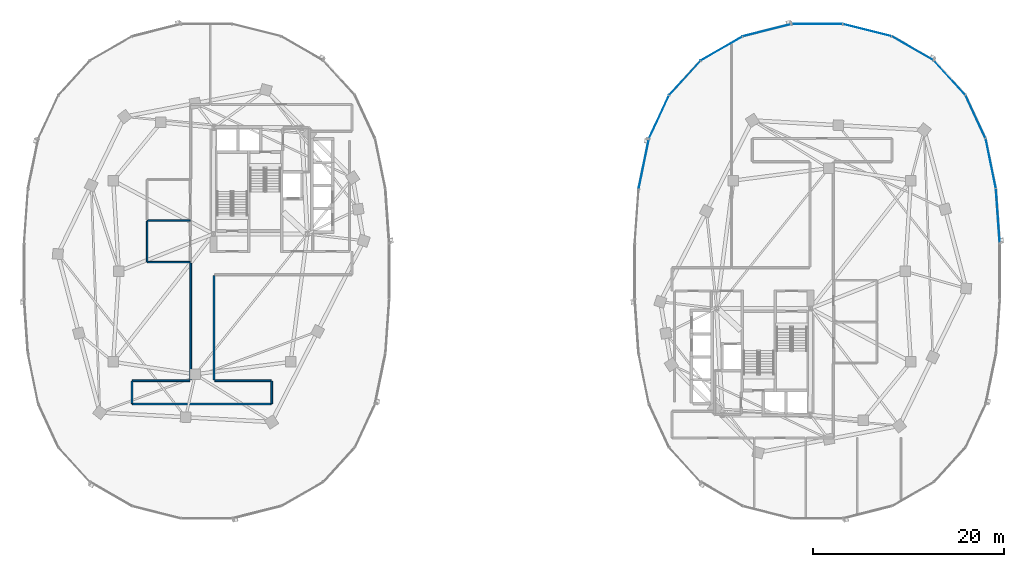
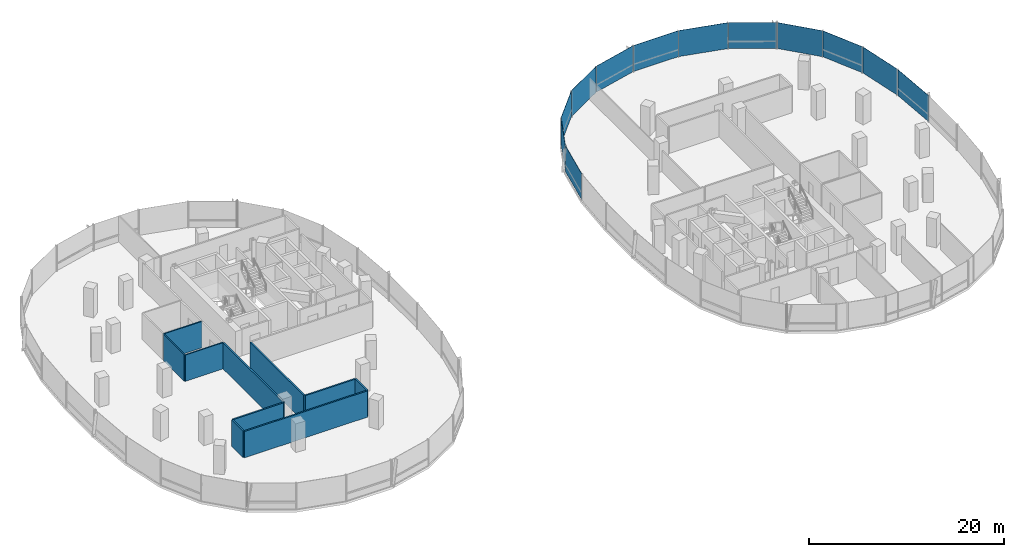
# One storey, part 10 of 20: 12 plates, 10 walls, 2 elements without a shape of their own.
"""IFC4 building model written with IfcOpenShell, lengths in metres."""

import ifcopenshell
import ifcopenshell.guid

model = None  # the IFC model being written
_history = None  # IfcOwnerHistory: only IFC2X3 demands one
_inside = {}  # id of a spatial element -> (the spatial element, [elements in it])
_under = {}  # id of a project, library or spatial element -> (it, [spatial elements below it])
_declared = {}  # id of a project -> (the project, [libraries it declares])
_typed = {}  # id of a type object -> (the type object, [elements of that type])
_made_of = {}  # id of a material, layer set ... -> (it, [elements and type objects made of it])


def new_model(schema):
    """Start an empty IFC model of exactly this schema.

    Asked for "IFC4X3", IfcOpenShell would pick the latest addendum, in which some entities
    have other attributes; the version numbers below select the first issue.
    IFC2X3 requires an IfcOwnerHistory on every rooted entity: one is made here for all.
    """
    global model, _history
    if schema == "IFC4X3":
        model = ifcopenshell.file(schema_version=(4, 3, 0, 0))
    else:
        model = ifcopenshell.file(schema=schema)
    _inside.clear()
    _under.clear()
    _declared.clear()
    _typed.clear()
    _made_of.clear()
    _history = None
    if model.schema == "IFC2X3":
        org = make("IfcOrganization", Name="unknown")
        user = make(
            "IfcPersonAndOrganization",
            ThePerson=make("IfcPerson", FamilyName="unknown"),
            TheOrganization=org,
        )
        app = make(
            "IfcApplication",
            ApplicationDeveloper=org,
            Version="unknown",
            ApplicationFullName="unknown",
            ApplicationIdentifier="unknown",
        )
        _history = make(
            "IfcOwnerHistory",
            OwningUser=user,
            OwningApplication=app,
            ChangeAction="ADDED",
            CreationDate=0,
        )
    return model


def make(cls, **values):
    """One entity of the class cls with the attributes given. An attribute that is None is left unset."""
    return model.create_entity(
        cls, **{name: value for name, value in values.items() if value is not None}
    )


def rooted(cls, **values):
    """An entity with a GlobalId (a new one), such as an element, a storey or a relation."""
    return make(cls, GlobalId=ifcopenshell.guid.new(), OwnerHistory=_history, **values)


def si_unit(unit_type, name, prefix=None):
    """IfcSIUnit, for example si_unit("LENGTHUNIT", "METRE", prefix="MILLI")."""
    return make("IfcSIUnit", UnitType=unit_type, Prefix=prefix, Name=name)


def assignment(units):
    """IfcUnitAssignment: the units of a project."""
    return None if units is None else make("IfcUnitAssignment", Units=units)


def point(xyz):
    """IfcCartesianPoint."""
    return None if xyz is None else make("IfcCartesianPoint", Coordinates=xyz)


def direction(xyz):
    """IfcDirection."""
    return None if xyz is None else make("IfcDirection", DirectionRatios=xyz)


def frame(location, z_axis=None, x_axis=None):
    """IfcAxis2Placement3D, a coordinate frame: its origin and axes. An axis left out is left unset."""
    return make(
        "IfcAxis2Placement3D",
        Location=point(location),
        Axis=direction(z_axis),
        RefDirection=direction(x_axis),
    )


def frame_2d(location, x_axis=None):
    """IfcAxis2Placement2D, a coordinate frame in the plane: its origin and x axis."""
    return make(
        "IfcAxis2Placement2D", Location=point(location), RefDirection=direction(x_axis)
    )


def origin():
    """The frame at (0, 0, 0) with its axes left unset."""
    return frame((0.0, 0.0, 0.0))


def origin_2d():
    """The frame at (0, 0) in the plane with its x axis left unset."""
    return frame_2d((0.0, 0.0))


def place(relative_to, where):
    """IfcLocalPlacement: puts the frame where relative to a parent placement (None: the world)."""
    return make(
        "IfcLocalPlacement", PlacementRelTo=relative_to, RelativePlacement=where
    )


def context(
    kind, dimensions, precision=None, world=None, true_north=None, identifier=None
):
    """IfcGeometricRepresentationContext, for example the 3D "Model" context."""
    return make(
        "IfcGeometricRepresentationContext",
        ContextIdentifier=identifier,
        ContextType=kind,
        CoordinateSpaceDimension=dimensions,
        Precision=precision,
        WorldCoordinateSystem=world,
        TrueNorth=true_north,
    )


def subcontext(parent, identifier, kind, view, scale=None):
    """IfcGeometricRepresentationSubContext, for example "Body" below "Model"."""
    return make(
        "IfcGeometricRepresentationSubContext",
        ContextIdentifier=identifier,
        ContextType=kind,
        ParentContext=parent,
        TargetScale=scale,
        TargetView=view,
    )


def project(units=None, contexts=None):
    """IfcProject with its units and contexts."""
    return rooted(
        "IfcProject",
        Name="project",
        RepresentationContexts=contexts,
        UnitsInContext=assignment(units),
    )


def spatial(cls, under=None, at=None, **own):
    """A site, building, storey or space (cls), placed at a placement, below another one or the project."""
    s = rooted(cls, ObjectPlacement=at, **own)
    if under is not None:
        _under.setdefault(under.id(), (under, []))[1].append(s)
    return s


def profile(cls, at=None, kind="AREA", **sizes):
    """A parametric profile (cls). Its sizes go by their IFC names, for example OverallWidth=200.0."""
    return make(cls, ProfileType=kind, Position=at, **sizes)


def rectangle(**sizes):
    """IfcRectangleProfileDef."""
    return profile("IfcRectangleProfileDef", **sizes)


def extrude(swept, where, along, depth):
    """IfcExtrudedAreaSolid: the profile swept, set in the frame where, extruded along a direction by depth."""
    return make(
        "IfcExtrudedAreaSolid",
        SweptArea=swept,
        Position=where,
        ExtrudedDirection=direction(along),
        Depth=depth,
    )


def shape(context_of_items, identifier, shape_type, items):
    """IfcShapeRepresentation: the items that make up one representation, for example the "Body"."""
    return make(
        "IfcShapeRepresentation",
        ContextOfItems=context_of_items,
        RepresentationIdentifier=identifier,
        RepresentationType=shape_type,
        Items=items,
    )


def material(Name=None, Category=None):
    """IfcMaterial."""
    return make("IfcMaterial", Name=Name, Category=Category)


def layer(
    of_material, thickness, ventilated=None, Name=None, Category=None, Priority=None
):
    """IfcMaterialLayer: one layer of a wall or slab, of a material (None: an air gap)."""
    return make(
        "IfcMaterialLayer",
        Material=of_material,
        LayerThickness=thickness,
        IsVentilated=ventilated,
        Name=Name,
        Category=Category,
        Priority=Priority,
    )


def layer_set(layers, Name=None):
    """IfcMaterialLayerSet."""
    return make("IfcMaterialLayerSet", MaterialLayers=layers, LayerSetName=Name)


def made_of(thing, what):
    """Note that an element or type object is made of a material, layer set ...; save() writes the relation."""
    if what is not None:
        _made_of.setdefault(what.id(), (what, []))[1].append(thing)
    return thing


def type_object(cls, material=None, **own):
    """A type object (cls), such as IfcWallType, which elements share."""
    return made_of(rooted(cls, **own), material)


def element(
    cls,
    number,
    at=None,
    inside=None,
    cuts=None,
    type_object=None,
    material=None,
    context=None,
    identifier="Body",
    shape_type=None,
    held_by="IfcProductDefinitionShape",
    body=None,
    shapes=None,
    **own,
):
    """One element of the class cls, such as IfcWall. Its Tag is "e" and its number.

    at: its placement. inside: the storey or other place that contains it. cuts: it is an
    opening in that element (IfcRelVoidsElement). A single representation is given by context,
    identifier, shape_type and body (its items); several are given by shapes. held_by: the class
    of the entity that holds the representations. save() writes the other relations.
    """
    e = rooted(cls, Tag="e%d" % number, ObjectPlacement=at, **own)
    if body is not None:
        shapes = [shape(context, identifier, shape_type, body)]
    if shapes is not None:
        e.Representation = make(held_by, Representations=shapes)
    if inside is not None:
        _inside.setdefault(inside.id(), (inside, []))[1].append(e)
    if cuts is not None:
        rooted(
            "IfcRelVoidsElement", RelatingBuildingElement=cuts, RelatedOpeningElement=e
        )
    if type_object is not None:
        _typed.setdefault(type_object.id(), (type_object, []))[1].append(e)
    return made_of(e, material)


def aggregate(whole, parts):
    """IfcRelAggregates: a whole, such as a stair, and the parts it consists of."""
    return rooted("IfcRelAggregates", RelatingObject=whole, RelatedObjects=parts)


def save(model, path):
    """Write the relations noted so far, then the file.

    IfcRelAggregates (storeys below a building ...), IfcRelContainedInSpatialStructure (elements
    in a storey), IfcRelDefinesByType, IfcRelAssociatesMaterial and IfcRelDeclares: one each for
    every whole, place, type object, material and project.
    """
    for whole, parts in _under.values():
        aggregate(whole, parts)
    for where, things in _inside.values():
        rooted(
            "IfcRelContainedInSpatialStructure",
            RelatedElements=things,
            RelatingStructure=where,
        )
    for kind, things in _typed.values():
        rooted("IfcRelDefinesByType", RelatedObjects=things, RelatingType=kind)
    for what, things in _made_of.values():
        rooted("IfcRelAssociatesMaterial", RelatedObjects=things, RelatingMaterial=what)
    for by, libraries in _declared.values():
        rooted("IfcRelDeclares", RelatingContext=by, RelatedDefinitions=libraries)
    model.write(path)


model = new_model("IFC4")

# Units and contexts
model_context = context("Model", 3, precision=1e-05, world=origin(), true_north=direction((0.0, 1.0)))
body_context = subcontext(model_context, "Body", "Model", "MODEL_VIEW")
ifc_project = project(units=[si_unit("LENGTHUNIT", "METRE"), si_unit("AREAUNIT", "SQUARE_METRE"), si_unit("VOLUMEUNIT", "CUBIC_METRE"), si_unit("PLANEANGLEUNIT", "RADIAN"), si_unit("MASSUNIT", "GRAM", prefix="KILO"), si_unit("THERMODYNAMICTEMPERATUREUNIT", "KELVIN"), si_unit("POWERUNIT", "WATT")], contexts=[model_context])

# Site, building, storey
site_placement = place(None, origin())
site = spatial("IfcSite", under=ifc_project, at=site_placement, CompositionType="ELEMENT")
building_placement = place(site_placement, origin())
building = spatial("IfcBuilding", under=site, at=building_placement, Name="Cundina Bronze Exchange", CompositionType="ELEMENT")
storey_placement = place(building_placement, frame((0.0, 0.0, 125.0)))
storey = spatial("IfcBuildingStorey", under=building, at=storey_placement, Name="L32", CompositionType="ELEMENT", Elevation=125.0)

# Curtain wall, plates
ifc_material_1 = material(Name="Anodised Bronze Aluminium 6063-T6", Category="aluminium")
curtain_wall_type = type_object("IfcCurtainWallType", Name="CWS-TRD-MID", PredefinedType="NOTDEFINED", material=ifc_material_1)
curtain_wall_1_placement = place(storey_placement, origin())
curtain_wall_1 = element("IfcCurtainWall", 1, at=curtain_wall_1_placement, inside=storey, type_object=curtain_wall_type, Name="L32 CW-03 Curtain Wall Run CWR-L32-E1", PredefinedType="NOTDEFINED")
ifc_material_2 = material(Name="Heat-Strengthened Solar-Control Bronze Safety Glass 28mm", Category="glass")
ifc_layer_1 = layer(ifc_material_2, 0.028076171875, Name="Heat-Strengthened Solar-Control Bronze Safety Glass 28mm", Category="glass")
ifc_layer_set_1 = layer_set([ifc_layer_1], Name="Heat-Strengthened Solar-Control Bronze Safety Glass 28mm")
plate_type_1 = type_object("IfcPlateType", Name="PLT-GLZ-VIS28", PredefinedType="CURTAIN_PANEL", material=ifc_layer_set_1)
plate_1_placement = place(storey_placement, frame((50.9267578125, 5.783935546875, 0.02001953125), z_axis=(0.0, 0.0, 1.0), x_axis=(-0.070278787473, 0.997527389113, 0.0)))
plate_1 = element("IfcPlate", 2, at=plate_1_placement, type_object=plate_type_1, Name="CW-03 Glazed Panel 1", PredefinedType="CURTAIN_PANEL", context=body_context, shape_type="SweptSolid", body=[
    extrude(rectangle(XDim=5.644287109375, YDim=0.028076171875, at=origin_2d()), origin(), (0.0, 0.0, 1.0), 3.260009765625),
])
plate_2_placement = place(storey_placement, frame((50.18408203125, 11.269775390625, 0.02001953125), z_axis=(0.0, 0.0, 1.0), x_axis=(-0.201419845156, 0.979505000486, 0.0)))
plate_2 = element("IfcPlate", 3, at=plate_2_placement, type_object=plate_type_1, Name="CW-03 Glazed Panel 2", PredefinedType="CURTAIN_PANEL", context=body_context, shape_type="SweptSolid", body=[
    extrude(rectangle(XDim=5.306640625, YDim=0.028076171875, at=origin_2d()), origin(), (0.0, 0.0, 1.0), 3.260009765625),
])
plate_3_placement = place(storey_placement, frame((45.8740234375, 20.267333984375, 0.02001953125), z_axis=(0.0, 0.0, 1.0), x_axis=(-0.674276610219, 0.73847887777, 0.0)))
plate_3 = element("IfcPlate", 4, at=plate_3_placement, type_object=plate_type_1, Name="CW-03 Glazed Panel 4", PredefinedType="CURTAIN_PANEL", context=body_context, shape_type="SweptSolid", body=[
    extrude(rectangle(XDim=4.86328125, YDim=0.028076171875, at=origin_2d()), origin(), (0.0, 0.0, 1.0), 3.260009765625),
])
plate_4_placement = place(storey_placement, frame((42.019287109375, 23.34423828125, 0.02001953125), z_axis=(0.0, 0.0, 1.0), x_axis=(-0.867105478933, 0.498124571171, 0.0)))
plate_4 = element("IfcPlate", 5, at=plate_4_placement, type_object=plate_type_1, Name="CW-03 Glazed Panel 5", PredefinedType="CURTAIN_PANEL", context=body_context, shape_type="SweptSolid", body=[
    extrude(rectangle(XDim=5.021240234375, YDim=0.028076171875, at=origin_2d()), origin(), (0.0, 0.0, 1.0), 3.260009765625),
])
plate_5_placement = place(storey_placement, frame((37.255615234375, 25.256591796875, 0.02001953125), z_axis=(0.0, 0.0, 1.0), x_axis=(-0.969488149345, 0.245138182011, 0.0)))
plate_5 = element("IfcPlate", 6, at=plate_5_placement, type_object=plate_type_1, Name="CW-03 Glazed Panel 6", PredefinedType="CURTAIN_PANEL", context=body_context, shape_type="SweptSolid", body=[
    extrude(rectangle(XDim=5.2333984375, YDim=0.028076171875, at=origin_2d()), origin(), (0.0, 0.0, 1.0), 3.260009765625),
])
plate_6_placement = place(storey_placement, frame((32.0, 25.905029296875, 0.02001953125), z_axis=(0.0, 0.0, 1.0), x_axis=(-1.0, 0.0, 0.0)))
plate_6 = element("IfcPlate", 7, at=plate_6_placement, type_object=plate_type_1, Name="CW-03 Glazed Panel 7", PredefinedType="CURTAIN_PANEL", context=body_context, shape_type="SweptSolid", body=[
    extrude(rectangle(XDim=5.323974609375, YDim=0.028076171875, at=origin_2d()), origin(), (0.0, 0.0, 1.0), 3.260009765625),
])

curtain_wall_2_placement = place(storey_placement, origin())
curtain_wall_2 = element("IfcCurtainWall", 8, at=curtain_wall_2_placement, inside=storey, type_object=curtain_wall_type, Name="L32 CW-03 Curtain Wall Run CWR-L32-E2", PredefinedType="NOTDEFINED")
plate_7_placement = place(storey_placement, frame((26.744384765625, 25.256591796875, 0.02001953125), z_axis=(0.0, 0.0, 1.0), x_axis=(-0.969488149345, -0.245138182011, 0.0)))
plate_7 = element("IfcPlate", 9, at=plate_7_placement, type_object=plate_type_1, Name="CW-03 Glazed Panel 1", PredefinedType="CURTAIN_PANEL", context=body_context, shape_type="SweptSolid", body=[
    extrude(rectangle(XDim=5.2333984375, YDim=0.028076171875, at=origin_2d()), origin(), (0.0, 0.0, 1.0), 3.260009765625),
])
plate_8_placement = place(storey_placement, frame((18.1259765625, 20.267333984375, 0.02001953125), z_axis=(0.0, 0.0, 1.0), x_axis=(-0.674276610219, -0.73847887777, 0.0)))
plate_8 = element("IfcPlate", 10, at=plate_8_placement, type_object=plate_type_1, Name="CW-03 Glazed Panel 3", PredefinedType="CURTAIN_PANEL", context=body_context, shape_type="SweptSolid", body=[
    extrude(rectangle(XDim=4.86328125, YDim=0.028076171875, at=origin_2d()), origin(), (0.0, 0.0, 1.0), 3.260009765625),
])
plate_9_placement = place(storey_placement, frame((15.413818359375, 16.177734375, 0.02001953125), z_axis=(0.0, 0.0, 1.0), x_axis=(-0.42084583328, -0.907132175932, 0.0)))
plate_9 = element("IfcPlate", 11, at=plate_9_placement, type_object=plate_type_1, Name="CW-03 Glazed Panel 4", PredefinedType="CURTAIN_PANEL", context=body_context, shape_type="SweptSolid", body=[
    extrude(rectangle(XDim=4.966552734375, YDim=0.028076171875, at=origin_2d()), origin(), (0.0, 0.0, 1.0), 3.260009765625),
])
plate_10_placement = place(storey_placement, frame((13.81591796875, 11.269775390625, 0.02001953125), z_axis=(0.0, 0.0, 1.0), x_axis=(-0.201419845156, -0.979505000486, 0.0)))
plate_10 = element("IfcPlate", 12, at=plate_10_placement, type_object=plate_type_1, Name="CW-03 Glazed Panel 5", PredefinedType="CURTAIN_PANEL", context=body_context, shape_type="SweptSolid", body=[
    extrude(rectangle(XDim=5.306640625, YDim=0.028076171875, at=origin_2d()), origin(), (0.0, 0.0, 1.0), 3.260009765625),
])

# Plate
ifc_material_3 = material(Name="Dark Bronze Spandrel Glass Panel 32mm", Category="glass")
ifc_layer_2 = layer(ifc_material_3, 0.031982421875, Name="Dark Bronze Spandrel Glass Panel 32mm", Category="glass")
ifc_layer_set_2 = layer_set([ifc_layer_2], Name="Dark Bronze Spandrel Glass Panel 32mm")
plate_type_2 = type_object("IfcPlateType", Name="PLT-SPN-BRZ32", PredefinedType="CURTAIN_PANEL", material=ifc_layer_set_2)
plate_11_placement = place(storey_placement, frame((48.586181640625, 16.177734375, 0.02001953125), z_axis=(0.0, 0.0, 1.0), x_axis=(-0.42084583328, 0.907132175932, 0.0)))
plate_11 = element("IfcPlate", 13, at=plate_11_placement, type_object=plate_type_2, Name="CW-03 Glazed Panel 3", PredefinedType="CURTAIN_PANEL", context=body_context, shape_type="SweptSolid", body=[
    extrude(rectangle(XDim=4.966552734375, YDim=0.031982421875, at=origin_2d()), origin(), (0.0, 0.0, 1.0), 3.260009765625),
])

aggregate(curtain_wall_1, [plate_1, plate_2, plate_11, plate_3, plate_4, plate_5, plate_6])

plate_12_placement = place(storey_placement, frame((21.980712890625, 23.34423828125, 0.02001953125), z_axis=(0.0, 0.0, 1.0), x_axis=(-0.867105478933, -0.498124571171, 0.0)))
plate_12 = element("IfcPlate", 14, at=plate_12_placement, type_object=plate_type_2, Name="CW-03 Glazed Panel 2", PredefinedType="CURTAIN_PANEL", context=body_context, shape_type="SweptSolid", body=[
    extrude(rectangle(XDim=5.021240234375, YDim=0.031982421875, at=origin_2d()), origin(), (0.0, 0.0, 1.0), 3.260009765625),
])

aggregate(curtain_wall_2, [plate_7, plate_12, plate_8, plate_9, plate_10])

# Walls
ifc_material_4 = material(Name="Gypsum Fireboard Partition EI120")
ifc_layer_3 = layer(ifc_material_4, 0.179931640625, Name="Gypsum Fireboard Partition EI120")
ifc_layer_set_3 = layer_set([ifc_layer_3], Name="Gypsum Fireboard Partition EI120")
wall_type_1 = type_object("IfcWallType", Name="WL-COR-180", PredefinedType="PARTITIONING", material=ifc_layer_set_3)
wall_1_placement = place(storey_placement, frame((-39.778564453125, -13.919921875, 0.0), z_axis=(0.0, 0.0, 1.0), x_axis=(1.0, 0.0, 0.0)))
element("IfcWall", 15, at=wall_1_placement, inside=storey, type_object=wall_type_1, Name="L32 Interior Partition 016", PredefinedType="PARTITIONING", context=body_context, shape_type="SweptSolid", body=[
    extrude(rectangle(XDim=14.55712890625, YDim=0.179931640625, at=frame_2d((7.278564453125, 0.0))), origin(), (0.0, 0.0, 1.0), 3.300048828125),
])
wall_2_placement = place(storey_placement, frame((-33.669921875, 0.858642578125, 0.0), z_axis=(0.0, 0.0, 1.0), x_axis=(0.0, -1.0, 0.0)))
element("IfcWall", 16, at=wall_2_placement, inside=storey, type_object=wall_type_1, Name="L32 Interior Partition 018", PredefinedType="PARTITIONING", context=body_context, shape_type="SweptSolid", body=[
    extrude(rectangle(XDim=12.258544921875, YDim=0.179931640625, at=frame_2d((6.12939453125, 0.0))), origin(), (0.0, 0.0, 1.0), 3.300048828125),
])
wall_3_placement = place(storey_placement, frame((-31.22998046875, -11.39990234375, 0.0), z_axis=(0.0, 0.0, 1.0), x_axis=(0.0, 1.0, 0.0)))
element("IfcWall", 17, at=wall_3_placement, inside=storey, type_object=wall_type_1, Name="L32 Interior Partition 019", PredefinedType="PARTITIONING", context=body_context, shape_type="SweptSolid", body=[
    extrude(rectangle(XDim=10.949951171875, YDim=0.179931640625, at=frame_2d((5.47509765625, 0.0))), origin(), (0.0, 0.0, 1.0), 3.300048828125),
])
wall_4_placement = place(storey_placement, frame((-33.75, -11.47998046875, 0.0), z_axis=(0.0, 0.0, 1.0), x_axis=(-1.0, 0.0, 0.0)))
element("IfcWall", 18, at=wall_4_placement, inside=storey, type_object=wall_type_1, Name="L32 Interior Partition 021", PredefinedType="PARTITIONING", context=body_context, shape_type="SweptSolid", body=[
    extrude(rectangle(XDim=6.028564453125, YDim=0.179931640625, at=frame_2d((3.01416015625, 0.0))), origin(), (0.0, 0.0, 1.0), 3.300048828125),
])
wall_5_placement = place(storey_placement, frame((-25.221435546875, -11.47998046875, 0.0), z_axis=(0.0, 0.0, 1.0), x_axis=(-1.0, 0.0, 0.0)))
element("IfcWall", 19, at=wall_5_placement, inside=storey, type_object=wall_type_1, Name="L32 Interior Partition 022", PredefinedType="PARTITIONING", context=body_context, shape_type="SweptSolid", body=[
    extrude(rectangle(XDim=5.928466796875, YDim=0.179931640625, at=frame_2d((2.96435546875, 0.0))), origin(), (0.0, 0.0, 1.0), 3.300048828125),
])
for number, where, z_axis, x_axis, name in (
    (20, (-39.820068359375, -11.521484375, 0.0), (0.0, 0.0, 1.0), (0.0, -1.0, 0.0), "L32 Interior Partition 026"),
    (21, (-25.179931640625, -13.87841796875, 0.0), (0.0, 0.0, 1.0), (0.0, 1.0, 0.0), "L32 Interior Partition 027"),
):
    element("IfcWall", number, at=place(storey_placement, frame(where, z_axis=z_axis, x_axis=x_axis)), inside=storey, type_object=wall_type_1, Name=name, PredefinedType="PARTITIONING", context=body_context, shape_type="SweptSolid", body=[
        extrude(rectangle(XDim=2.35693359375, YDim=0.179931640625, at=frame_2d((1.178466796875, 0.0))), origin(), (0.0, 0.0, 1.0), 3.300048828125),
    ])
ifc_material_5 = material(Name="Moisture-Resistant Masonry Block Grade M15", Category="masonry")
ifc_layer_4 = layer(ifc_material_5, 0.139892578125, Name="Moisture-Resistant Masonry Block Grade M15", Category="masonry")
ifc_layer_set_4 = layer_set([ifc_layer_4], Name="Moisture-Resistant Masonry Block Grade M15")
wall_type_2 = type_object("IfcWallType", Name="WL-WET-140", PredefinedType="PARTITIONING", material=ifc_layer_set_4)
wall_6_placement = place(storey_placement, frame((-38.239990234375, 0.969970703125, 0.0), z_axis=(0.0, 0.0, 1.0), x_axis=(0.0, 1.0, 0.0)))
element("IfcWall", 22, at=wall_6_placement, inside=storey, type_object=wall_type_2, Name="L32 Interior Partition 007", PredefinedType="PARTITIONING", context=body_context, shape_type="SweptSolid", body=[
    extrude(rectangle(XDim=4.275146484375, YDim=0.139892578125, at=frame_2d((2.1376953125, 0.0))), origin(), (0.0, 0.0, 1.0), 3.300048828125),
])
for number, where, z_axis, x_axis, name in (
    (23, (-38.219970703125, 0.949951171875, 0.0), (0.0, 0.0, 1.0), (1.0, 0.0, 0.0), "L32 Interior Partition 009"),
    (24, (-38.219970703125, 5.330078125, 0.0), (0.0, 0.0, 1.0), (1.0, 0.0, 0.0), "L32 Interior Partition 010"),
):
    element("IfcWall", number, at=place(storey_placement, frame(where, z_axis=z_axis, x_axis=x_axis)), inside=storey, type_object=wall_type_2, Name=name, PredefinedType="PARTITIONING", context=body_context, shape_type="SweptSolid", body=[
        extrude(rectangle(XDim=4.47998046875, YDim=0.139892578125, at=frame_2d((2.239990234375, 0.0))), origin(), (0.0, 0.0, 1.0), 3.300048828125),
    ])

save(model, "model.ifc")
